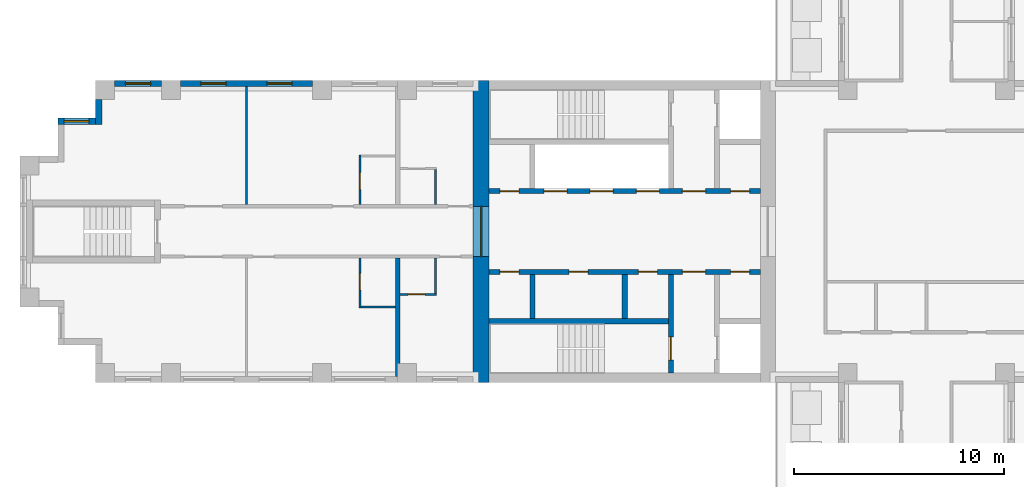
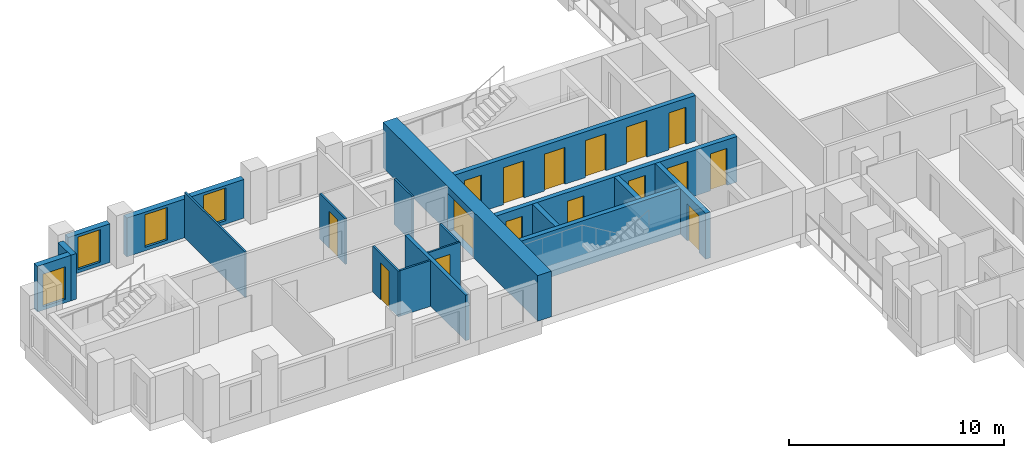
# One storey, part 3 of 11: 19 walls, 16 doors, 4 windows, 20 openings.
"""IFC4 building model written with IfcOpenShell, lengths in metres."""

from ifc_helpers import new_model, si_unit, direction, frame, frame_2d, origin, place, context, subcontext, project, spatial, rectangle, extrude, material, layer, layer_set, type_object, element, fill, save


model = new_model("IFC4")

# Units and contexts
model_context = context("Model", 3, precision=1e-05, world=origin(), true_north=direction((0.0, 1.0)))
body_context = subcontext(model_context, "Body", "Model", "MODEL_VIEW")
ifc_project = project(units=[si_unit("LENGTHUNIT", "METRE"), si_unit("AREAUNIT", "SQUARE_METRE"), si_unit("VOLUMEUNIT", "CUBIC_METRE"), si_unit("PLANEANGLEUNIT", "RADIAN"), si_unit("MASSUNIT", "GRAM", prefix="KILO")], contexts=[model_context])

# Site, building, storey
site_placement = place(None, origin())
site = spatial("IfcSite", under=ifc_project, at=site_placement, CompositionType="ELEMENT")
building_placement = place(site_placement, origin())
building = spatial("IfcBuilding", under=site, at=building_placement, Name="Fustian Cross Tower", CompositionType="ELEMENT")
storey_placement = place(building_placement, frame((0.0, 0.0, 126.300048828125)))
storey = spatial("IfcBuildingStorey", under=building, at=storey_placement, Name="L39", CompositionType="ELEMENT", Elevation=126.300048828125)

# Wall, opening, door
ifc_material_1 = material(Name="Concrete C60/75", Category="concrete")
ifc_layer_1 = layer(ifc_material_1, 0.75)
ifc_layer_set_1 = layer_set([ifc_layer_1], Name="Concrete C60/75")
wall_type_1 = type_object("IfcWallType", Name="CORE END WALL 750 C60/75", PredefinedType="SHEAR", material=ifc_layer_set_1)
wall_1_placement = place(storey_placement, frame((-21.22509765625, -7.199951171875, 0.0), z_axis=(0.0, 0.0, 1.0), x_axis=(0.0, 1.0, 0.0)))
wall_1 = element("IfcWall", 1, at=wall_1_placement, inside=storey, type_object=wall_type_1, Name="Core end wall", PredefinedType="SHEAR", context=body_context, shape_type="SweptSolid", body=[
    extrude(rectangle(XDim=14.39990234375, YDim=0.75, at=frame_2d((7.199951171875, 0.0))), origin(), (0.0, 0.0, 1.0), 2.599853515625),
])
opening_1_placement = place(wall_1_placement, frame((6.0, 0.0, 0.0)))
opening_1 = element("IfcOpeningElement", 2, at=opening_1_placement, cuts=wall_1, Name="Opening CD-16-30", PredefinedType="OPENING", context=body_context, shape_type="SweptSolid", body=[
    extrude(rectangle(XDim=2.39990234375, YDim=2.199951171875, at=frame_2d((1.199951171875, 1.10009765625))), frame((0.0, 0.385009765625, 0.0), z_axis=(0.0, -1.0, 0.0), x_axis=(1.0, 0.0, 0.0)), (0.0, 0.0, 1.0), 0.77001953125),
])
ifc_material_2 = material(Name="Steel", Category="steel")
door_type_1 = type_object("IfcDoorType", Name="FIRE DOOR FD30S DOUBLE 2400X2200", OperationType="DOUBLE_DOOR_DOUBLE_SWING", PredefinedType="DOOR", material=ifc_material_2)
door_1_placement = place(opening_1_placement, frame((2.39990234375, 0.0, 0.0), z_axis=(0.0, 0.0, 1.0), x_axis=(-1.0, 0.0, 0.0)))
door_1 = element("IfcDoor", 3, at=door_1_placement, inside=storey, type_object=door_type_1, Name="Core door CD-16-30", OperationType="DOUBLE_DOOR_DOUBLE_SWING", OverallHeight=2.199951171875, OverallWidth=2.39990234375, PredefinedType="DOOR", context=body_context, shape_type="SweptSolid", body=[
    extrude(rectangle(XDim=2.39990234375, YDim=2.199951171875, at=frame_2d((1.199951171875, 1.10009765625))), frame((0.0, 0.02490234375, 0.0), z_axis=(0.0, -1.0, 0.0), x_axis=(1.0, 0.0, 0.0)), (0.0, 0.0, 1.0), 0.050048828125),
])
fill(opening_1, door_1)

# Wall, openings, doors
ifc_material_3 = material(Name="Concrete C50/60", Category="concrete")
ifc_layer_2 = layer(ifc_material_3, 0.25)
ifc_layer_set_2 = layer_set([ifc_layer_2], Name="Concrete C50/60")
wall_type_2 = type_object("IfcWallType", Name="CORE LOBBY WALL 250 C50/60", PredefinedType="SHEAR", material=ifc_layer_set_2)
wall_2_placement = place(storey_placement, frame((-7.89990234375, 1.925048828125, 0.0), z_axis=(0.0, 0.0, 1.0), x_axis=(-1.0, 0.0, 0.0)))
wall_2 = element("IfcWall", 4, at=wall_2_placement, inside=storey, type_object=wall_type_2, Name="Core lobby wall", PredefinedType="SHEAR", context=body_context, shape_type="SweptSolid", body=[
    extrude(rectangle(XDim=12.9501953125, YDim=0.25, at=frame_2d((6.47509765625, 0.0))), origin(), (0.0, 0.0, 1.0), 2.599853515625),
])
opening_2_placement = place(wall_2_placement, frame((4.824951171875, 0.0, 0.0)))
opening_2 = element("IfcOpeningElement", 5, at=opening_2_placement, cuts=wall_2, Name="Opening LD", PredefinedType="OPENING", context=body_context, shape_type="SweptSolid", body=[
    extrude(rectangle(XDim=1.10009765625, YDim=2.10009765625, at=frame_2d((0.550048828125, 1.050048828125))), frame((0.0, 0.135009765625, 0.0), z_axis=(0.0, -1.0, 0.0), x_axis=(1.0, 0.0, 0.0)), (0.0, 0.0, 1.0), 0.27001953125),
])
opening_3_placement = place(wall_2_placement, frame((7.02490234375, 0.0, 0.0)))
opening_3 = element("IfcOpeningElement", 6, at=opening_3_placement, cuts=wall_2, Name="Opening LD", PredefinedType="OPENING", context=body_context, shape_type="SweptSolid", body=[
    extrude(rectangle(XDim=1.10009765625, YDim=2.10009765625, at=frame_2d((0.550048828125, 1.050048828125))), frame((0.0, 0.135009765625, 0.0), z_axis=(0.0, -1.0, 0.0), x_axis=(1.0, 0.0, 0.0)), (0.0, 0.0, 1.0), 0.27001953125),
])
opening_4_placement = place(wall_2_placement, frame((9.22509765625, 0.0, 0.0)))
opening_4 = element("IfcOpeningElement", 7, at=opening_4_placement, cuts=wall_2, Name="Opening LD", PredefinedType="OPENING", context=body_context, shape_type="SweptSolid", body=[
    extrude(rectangle(XDim=1.10009765625, YDim=2.10009765625, at=frame_2d((0.550048828125, 1.050048828125))), frame((0.0, 0.135009765625, 0.0), z_axis=(0.0, -1.0, 0.0), x_axis=(1.0, 0.0, 0.0)), (0.0, 0.0, 1.0), 0.27001953125),
])
opening_5_placement = place(wall_2_placement, frame((0.52490234375, 0.0, 0.0)))
opening_5 = element("IfcOpeningElement", 8, at=opening_5_placement, cuts=wall_2, Name="Opening CD-16-25", PredefinedType="OPENING", context=body_context, shape_type="SweptSolid", body=[
    extrude(rectangle(XDim=0.89990234375, YDim=2.10009765625, at=frame_2d((0.449951171875, 1.050048828125))), frame((0.0, 0.135009765625, 0.0), z_axis=(0.0, -1.0, 0.0), x_axis=(1.0, 0.0, 0.0)), (0.0, 0.0, 1.0), 0.27001953125),
])
opening_6_placement = place(wall_2_placement, frame((2.625, 0.0, 0.0)))
opening_6 = element("IfcOpeningElement", 9, at=opening_6_placement, cuts=wall_2, Name="Opening CD-16-27", PredefinedType="OPENING", context=body_context, shape_type="SweptSolid", body=[
    extrude(rectangle(XDim=1.10009765625, YDim=2.10009765625, at=frame_2d((0.550048828125, 1.050048828125))), frame((0.0, 0.135009765625, 0.0), z_axis=(0.0, -1.0, 0.0), x_axis=(1.0, 0.0, 0.0)), (0.0, 0.0, 1.0), 0.27001953125),
])
opening_7_placement = place(wall_2_placement, frame((11.52490234375, 0.0, 0.0)))
opening_7 = element("IfcOpeningElement", 10, at=opening_7_placement, cuts=wall_2, Name="Opening CD-16-31", PredefinedType="OPENING", context=body_context, shape_type="SweptSolid", body=[
    extrude(rectangle(XDim=0.89990234375, YDim=2.10009765625, at=frame_2d((0.449951171875, 1.050048828125))), frame((0.0, 0.135009765625, 0.0), z_axis=(0.0, -1.0, 0.0), x_axis=(1.0, 0.0, 0.0)), (0.0, 0.0, 1.0), 0.27001953125),
])
ifc_material_4 = material(Name="Steel", Category="steel")
door_type_2 = type_object("IfcDoorType", Name="FIRE DOOR FD30S 900X2100", OperationType="SINGLE_SWING_LEFT", PredefinedType="DOOR", material=ifc_material_4)
door_2_placement = place(opening_7_placement, frame((0.89990234375, 0.0, 0.0), z_axis=(0.0, 0.0, 1.0), x_axis=(-1.0, 0.0, 0.0)))
door_2 = element("IfcDoor", 11, at=door_2_placement, inside=storey, type_object=door_type_2, Name="Core door CD-16-31", OperationType="SINGLE_SWING_RIGHT", OverallHeight=2.10009765625, OverallWidth=0.89990234375, PredefinedType="DOOR", context=body_context, shape_type="SweptSolid", body=[
    extrude(rectangle(XDim=0.89990234375, YDim=2.10009765625, at=frame_2d((0.449951171875, 1.050048828125))), frame((0.0, 0.02490234375, 0.0), z_axis=(0.0, -1.0, 0.0), x_axis=(1.0, 0.0, 0.0)), (0.0, 0.0, 1.0), 0.050048828125),
])
fill(opening_7, door_2)
ifc_material_5 = material(Name="Steel", Category="steel")
door_type_3 = type_object("IfcDoorType", Name="FIRE DOOR FD60S 1100X2100", OperationType="SINGLE_SWING_LEFT", PredefinedType="DOOR", material=ifc_material_5)
door_3_placement = place(opening_6_placement, frame((1.10009765625, 0.0, 0.0), z_axis=(0.0, 0.0, 1.0), x_axis=(-1.0, 0.0, 0.0)))
door_3 = element("IfcDoor", 12, at=door_3_placement, inside=storey, type_object=door_type_3, Name="Core door CD-16-27", OperationType="SINGLE_SWING_RIGHT", OverallHeight=2.10009765625, OverallWidth=1.10009765625, PredefinedType="DOOR", context=body_context, shape_type="SweptSolid", body=[
    extrude(rectangle(XDim=1.10009765625, YDim=2.10009765625, at=frame_2d((0.550048828125, 1.050048828125))), frame((0.0, 0.02490234375, 0.0), z_axis=(0.0, -1.0, 0.0), x_axis=(1.0, 0.0, 0.0)), (0.0, 0.0, 1.0), 0.050048828125),
])
fill(opening_6, door_3)
ifc_material_6 = material(Name="Steel", Category="steel")
door_type_4 = type_object("IfcDoorType", Name="FIRE DOOR FD60S 900X2100", OperationType="SINGLE_SWING_LEFT", PredefinedType="DOOR", material=ifc_material_6)
door_4_placement = place(opening_5_placement, frame((0.89990234375, 0.0, 0.0), z_axis=(0.0, 0.0, 1.0), x_axis=(-1.0, 0.0, 0.0)))
door_4 = element("IfcDoor", 13, at=door_4_placement, inside=storey, type_object=door_type_4, Name="Core door CD-16-25", OperationType="SINGLE_SWING_RIGHT", OverallHeight=2.10009765625, OverallWidth=0.89990234375, PredefinedType="DOOR", context=body_context, shape_type="SweptSolid", body=[
    extrude(rectangle(XDim=0.89990234375, YDim=2.10009765625, at=frame_2d((0.449951171875, 1.050048828125))), frame((0.0, 0.02490234375, 0.0), z_axis=(0.0, -1.0, 0.0), x_axis=(1.0, 0.0, 0.0)), (0.0, 0.0, 1.0), 0.050048828125),
])
fill(opening_5, door_4)
ifc_material_7 = material(Name="Stainless steel", Category="steel")
door_type_5 = type_object("IfcDoorType", Name="LIFT LANDING DOOR 1100X2100", OperationType="SLIDING_TO_LEFT", PredefinedType="DOOR", material=ifc_material_7)
door_5_placement = place(opening_2_placement, origin())
door_5 = element("IfcDoor", 14, at=door_5_placement, inside=storey, type_object=door_type_5, Name="Landing door HR1W", OperationType="SLIDING_TO_LEFT", OverallHeight=2.10009765625, OverallWidth=1.10009765625, PredefinedType="DOOR", context=body_context, shape_type="SweptSolid", body=[
    extrude(rectangle(XDim=1.10009765625, YDim=2.10009765625, at=frame_2d((0.550048828125, 1.050048828125))), frame((0.0, 0.02490234375, 0.0), z_axis=(0.0, -1.0, 0.0), x_axis=(1.0, 0.0, 0.0)), (0.0, 0.0, 1.0), 0.050048828125),
])
fill(opening_2, door_5)
door_6_placement = place(opening_3_placement, origin())
door_6 = element("IfcDoor", 15, at=door_6_placement, inside=storey, type_object=door_type_5, Name="Landing door HR2W", OperationType="SLIDING_TO_LEFT", OverallHeight=2.10009765625, OverallWidth=1.10009765625, PredefinedType="DOOR", context=body_context, shape_type="SweptSolid", body=[
    extrude(rectangle(XDim=1.10009765625, YDim=2.10009765625, at=frame_2d((0.550048828125, 1.050048828125))), frame((0.0, 0.02490234375, 0.0), z_axis=(0.0, -1.0, 0.0), x_axis=(1.0, 0.0, 0.0)), (0.0, 0.0, 1.0), 0.050048828125),
])
fill(opening_3, door_6)
door_7_placement = place(opening_4_placement, origin())
door_7 = element("IfcDoor", 16, at=door_7_placement, inside=storey, type_object=door_type_5, Name="Landing door HR3W", OperationType="SLIDING_TO_LEFT", OverallHeight=2.10009765625, OverallWidth=1.10009765625, PredefinedType="DOOR", context=body_context, shape_type="SweptSolid", body=[
    extrude(rectangle(XDim=1.10009765625, YDim=2.10009765625, at=frame_2d((0.550048828125, 1.050048828125))), frame((0.0, 0.02490234375, 0.0), z_axis=(0.0, -1.0, 0.0), x_axis=(1.0, 0.0, 0.0)), (0.0, 0.0, 1.0), 0.050048828125),
])
fill(opening_4, door_7)

wall_3_placement = place(storey_placement, frame((-7.89990234375, -1.925048828125, 0.0), z_axis=(0.0, 0.0, 1.0), x_axis=(-1.0, 0.0, 0.0)))
wall_3 = element("IfcWall", 17, at=wall_3_placement, inside=storey, type_object=wall_type_2, Name="Core lobby wall", PredefinedType="SHEAR", context=body_context, shape_type="SweptSolid", body=[
    extrude(rectangle(XDim=12.9501953125, YDim=0.25, at=frame_2d((6.47509765625, 0.0))), origin(), (0.0, 0.0, 1.0), 2.599853515625),
])
opening_8_placement = place(wall_3_placement, frame((0.52490234375, 0.0, 0.0)))
opening_8 = element("IfcOpeningElement", 18, at=opening_8_placement, cuts=wall_3, Name="Opening CD-16-26", PredefinedType="OPENING", context=body_context, shape_type="SweptSolid", body=[
    extrude(rectangle(XDim=0.89990234375, YDim=2.10009765625, at=frame_2d((0.449951171875, 1.050048828125))), frame((0.0, 0.135009765625, 0.0), z_axis=(0.0, -1.0, 0.0), x_axis=(1.0, 0.0, 0.0)), (0.0, 0.0, 1.0), 0.27001953125),
])
opening_9_placement = place(wall_3_placement, frame((2.625, 0.0, 0.0)))
opening_9 = element("IfcOpeningElement", 19, at=opening_9_placement, cuts=wall_3, Name="Opening CD-16-28", PredefinedType="OPENING", context=body_context, shape_type="SweptSolid", body=[
    extrude(rectangle(XDim=1.10009765625, YDim=2.10009765625, at=frame_2d((0.550048828125, 1.050048828125))), frame((0.0, 0.135009765625, 0.0), z_axis=(0.0, -1.0, 0.0), x_axis=(1.0, 0.0, 0.0)), (0.0, 0.0, 1.0), 0.27001953125),
])
opening_10_placement = place(wall_3_placement, frame((4.925048828125, 0.0, 0.0)))
opening_10 = element("IfcOpeningElement", 20, at=opening_10_placement, cuts=wall_3, Name="Opening CD-16-32", PredefinedType="OPENING", context=body_context, shape_type="SweptSolid", body=[
    extrude(rectangle(XDim=0.89990234375, YDim=2.10009765625, at=frame_2d((0.449951171875, 1.050048828125))), frame((0.0, 0.135009765625, 0.0), z_axis=(0.0, -1.0, 0.0), x_axis=(1.0, 0.0, 0.0)), (0.0, 0.0, 1.0), 0.27001953125),
])
opening_11_placement = place(wall_3_placement, frame((8.22509765625, 0.0, 0.0)))
opening_11 = element("IfcOpeningElement", 21, at=opening_11_placement, cuts=wall_3, Name="Opening CD-16-33", PredefinedType="OPENING", context=body_context, shape_type="SweptSolid", body=[
    extrude(rectangle(XDim=0.89990234375, YDim=2.10009765625, at=frame_2d((0.449951171875, 1.050048828125))), frame((0.0, 0.135009765625, 0.0), z_axis=(0.0, -1.0, 0.0), x_axis=(1.0, 0.0, 0.0)), (0.0, 0.0, 1.0), 0.27001953125),
])
opening_12_placement = place(wall_3_placement, frame((11.52490234375, 0.0, 0.0)))
opening_12 = element("IfcOpeningElement", 22, at=opening_12_placement, cuts=wall_3, Name="Opening CD-16-34", PredefinedType="OPENING", context=body_context, shape_type="SweptSolid", body=[
    extrude(rectangle(XDim=0.89990234375, YDim=2.10009765625, at=frame_2d((0.449951171875, 1.050048828125))), frame((0.0, 0.135009765625, 0.0), z_axis=(0.0, -1.0, 0.0), x_axis=(1.0, 0.0, 0.0)), (0.0, 0.0, 1.0), 0.27001953125),
])
ifc_material_8 = material(Name="Steel", Category="steel")
door_type_6 = type_object("IfcDoorType", Name="FIRE DOOR FD30S 1100X2100", OperationType="SINGLE_SWING_LEFT", PredefinedType="DOOR", material=ifc_material_8)
door_8_placement = place(opening_9_placement, frame((1.10009765625, 0.0, 0.0), z_axis=(0.0, 0.0, 1.0), x_axis=(-1.0, 0.0, 0.0)))
door_8 = element("IfcDoor", 23, at=door_8_placement, inside=storey, type_object=door_type_6, Name="Core door CD-16-28", OperationType="SINGLE_SWING_RIGHT", OverallHeight=2.10009765625, OverallWidth=1.10009765625, PredefinedType="DOOR", context=body_context, shape_type="SweptSolid", body=[
    extrude(rectangle(XDim=1.10009765625, YDim=2.10009765625, at=frame_2d((0.550048828125, 1.050048828125))), frame((0.0, 0.02490234375, 0.0), z_axis=(0.0, -1.0, 0.0), x_axis=(1.0, 0.0, 0.0)), (0.0, 0.0, 1.0), 0.050048828125),
])
fill(opening_9, door_8)
door_9_placement = place(opening_8_placement, origin())
door_9 = element("IfcDoor", 24, at=door_9_placement, inside=storey, type_object=door_type_2, Name="Core door CD-16-26", OperationType="SINGLE_SWING_LEFT", OverallHeight=2.10009765625, OverallWidth=0.89990234375, PredefinedType="DOOR", context=body_context, shape_type="SweptSolid", body=[
    extrude(rectangle(XDim=0.89990234375, YDim=2.10009765625, at=frame_2d((0.449951171875, 1.050048828125))), frame((0.0, 0.02490234375, 0.0), z_axis=(0.0, -1.0, 0.0), x_axis=(1.0, 0.0, 0.0)), (0.0, 0.0, 1.0), 0.050048828125),
])
fill(opening_8, door_9)
door_10_placement = place(opening_10_placement, origin())
door_10 = element("IfcDoor", 25, at=door_10_placement, inside=storey, type_object=door_type_2, Name="Core door CD-16-32", OperationType="SINGLE_SWING_LEFT", OverallHeight=2.10009765625, OverallWidth=0.89990234375, PredefinedType="DOOR", context=body_context, shape_type="SweptSolid", body=[
    extrude(rectangle(XDim=0.89990234375, YDim=2.10009765625, at=frame_2d((0.449951171875, 1.050048828125))), frame((0.0, 0.02490234375, 0.0), z_axis=(0.0, -1.0, 0.0), x_axis=(1.0, 0.0, 0.0)), (0.0, 0.0, 1.0), 0.050048828125),
])
fill(opening_10, door_10)
door_11_placement = place(opening_11_placement, origin())
door_11 = element("IfcDoor", 26, at=door_11_placement, inside=storey, type_object=door_type_2, Name="Core door CD-16-33", OperationType="SINGLE_SWING_RIGHT", OverallHeight=2.10009765625, OverallWidth=0.89990234375, PredefinedType="DOOR", context=body_context, shape_type="SweptSolid", body=[
    extrude(rectangle(XDim=0.89990234375, YDim=2.10009765625, at=frame_2d((0.449951171875, 1.050048828125))), frame((0.0, 0.02490234375, 0.0), z_axis=(0.0, -1.0, 0.0), x_axis=(1.0, 0.0, 0.0)), (0.0, 0.0, 1.0), 0.050048828125),
])
fill(opening_11, door_11)
door_12_placement = place(opening_12_placement, origin())
door_12 = element("IfcDoor", 27, at=door_12_placement, inside=storey, type_object=door_type_2, Name="Core door CD-16-34", OperationType="SINGLE_SWING_LEFT", OverallHeight=2.10009765625, OverallWidth=0.89990234375, PredefinedType="DOOR", context=body_context, shape_type="SweptSolid", body=[
    extrude(rectangle(XDim=0.89990234375, YDim=2.10009765625, at=frame_2d((0.449951171875, 1.050048828125))), frame((0.0, 0.02490234375, 0.0), z_axis=(0.0, -1.0, 0.0), x_axis=(1.0, 0.0, 0.0)), (0.0, 0.0, 1.0), 0.050048828125),
])
fill(opening_12, door_12)

# Wall
ifc_material_9 = material(Name="Concrete C50/60", Category="concrete")
ifc_layer_3 = layer(ifc_material_9, 0.25)
ifc_layer_set_3 = layer_set([ifc_layer_3], Name="Concrete C50/60")
wall_type_3 = type_object("IfcWallType", Name="CORE SHAFT WALL 250 C50/60", PredefinedType="SHEAR", material=ifc_layer_set_3)
wall_4_placement = place(storey_placement, frame((-12.300048828125, -4.27490234375, 0.0), z_axis=(0.0, 0.0, 1.0), x_axis=(-1.0, 0.0, 0.0)))
element("IfcWall", 28, at=wall_4_placement, inside=storey, type_object=wall_type_3, Name="Core shaft wall", PredefinedType="SHEAR", context=body_context, shape_type="SweptSolid", body=[
    extrude(rectangle(XDim=8.550048828125, YDim=0.25, at=frame_2d((4.27490234375, 0.0))), origin(), (0.0, 0.0, 1.0), 2.599853515625),
])

# Wall, opening, door
wall_5_placement = place(storey_placement, frame((-12.175048828125, -2.050048828125, 0.0), z_axis=(0.0, 0.0, 1.0), x_axis=(0.0, -1.0, 0.0)))
wall_5 = element("IfcWall", 29, at=wall_5_placement, inside=storey, type_object=wall_type_3, Name="Core shaft wall", PredefinedType="SHEAR", context=body_context, shape_type="SweptSolid", body=[
    extrude(rectangle(XDim=4.699951171875, YDim=0.25, at=frame_2d((2.35009765625, 0.0))), origin(), (0.0, 0.0, 1.0), 2.599853515625),
])
opening_13_placement = place(wall_5_placement, frame((2.97509765625, 0.0, 0.0)))
opening_13 = element("IfcOpeningElement", 30, at=opening_13_placement, cuts=wall_5, Name="Opening CD-16-24", PredefinedType="OPENING", context=body_context, shape_type="SweptSolid", body=[
    extrude(rectangle(XDim=1.10009765625, YDim=2.10009765625, at=frame_2d((0.550048828125, 1.050048828125))), frame((0.0, 0.135009765625, 0.0), z_axis=(0.0, -1.0, 0.0), x_axis=(1.0, 0.0, 0.0)), (0.0, 0.0, 1.0), 0.27001953125),
])
door_13_placement = place(opening_13_placement, frame((1.10009765625, 0.0, 0.0), z_axis=(0.0, 0.0, 1.0), x_axis=(-1.0, 0.0, 0.0)))
door_13 = element("IfcDoor", 31, at=door_13_placement, inside=storey, type_object=door_type_3, Name="Core door CD-16-24", OperationType="SINGLE_SWING_RIGHT", OverallHeight=2.10009765625, OverallWidth=1.10009765625, PredefinedType="DOOR", context=body_context, shape_type="SweptSolid", body=[
    extrude(rectangle(XDim=1.10009765625, YDim=2.10009765625, at=frame_2d((0.550048828125, 1.050048828125))), frame((0.0, 0.02490234375, 0.0), z_axis=(0.0, -1.0, 0.0), x_axis=(1.0, 0.0, 0.0)), (0.0, 0.0, 1.0), 0.050048828125),
])
fill(opening_13, door_13)

# Wall
ifc_material_10 = material(Name="Plasterboard on steel stud", Category="steel")
ifc_layer_4 = layer(ifc_material_10, 0.10009765625)
ifc_layer_set_4 = layer_set([ifc_layer_4], Name="Plasterboard on steel stud")
wall_type_4 = type_object("IfcWallType", Name="PARTITION 100 STUD", PredefinedType="PARTITIONING", material=ifc_layer_set_4)
wall_6_placement = place(storey_placement, frame((-32.39990234375, 1.27490234375, 0.0), z_axis=(0.0, 0.0, 1.0), x_axis=(0.0, 1.0, 0.0)))
element("IfcWall", 32, at=wall_6_placement, inside=storey, type_object=wall_type_4, Name="Partition 4", PredefinedType="PARTITIONING", context=body_context, shape_type="SweptSolid", body=[
    extrude(rectangle(XDim=5.625, YDim=0.10009765625, at=frame_2d((2.8125, 0.0))), origin(), (0.0, 0.0, 1.0), 2.599853515625),
])

# Wall, opening, door
wall_7_placement = place(storey_placement, frame((-27.0, -3.64990234375, 0.0), z_axis=(0.0, 0.0, 1.0), x_axis=(0.0, 1.0, 0.0)))
wall_7 = element("IfcWall", 33, at=wall_7_placement, inside=storey, type_object=wall_type_4, Name="Partition 5", PredefinedType="PARTITIONING", context=body_context, shape_type="SweptSolid", body=[
    extrude(rectangle(XDim=2.375, YDim=0.10009765625, at=frame_2d((1.1875, 0.0))), origin(), (0.0, 0.0, 1.0), 2.599853515625),
])
opening_14_placement = place(wall_7_placement, frame((0.85009765625, 0.0, 0.0)))
opening_14 = element("IfcOpeningElement", 34, at=opening_14_placement, cuts=wall_7, Name="Opening D18025", PredefinedType="OPENING", context=body_context, shape_type="SweptSolid", body=[
    extrude(rectangle(XDim=0.800048828125, YDim=2.10009765625, at=frame_2d((0.39990234375, 1.050048828125))), frame((0.0, 0.06005859375, 0.0), z_axis=(0.0, -1.0, 0.0), x_axis=(1.0, 0.0, 0.0)), (0.0, 0.0, 1.0), 0.1201171875),
])
ifc_material_11 = material(Name="Painted timber", Category="wood")
door_type_7 = type_object("IfcDoorType", Name="SWING DOOR 800", OperationType="SINGLE_SWING_LEFT", PredefinedType="DOOR", material=ifc_material_11)
door_14_placement = place(opening_14_placement, frame((0.800048828125, 0.0, 0.0), z_axis=(0.0, 0.0, 1.0), x_axis=(-1.0, 0.0, 0.0)))
door_14 = element("IfcDoor", 35, at=door_14_placement, inside=storey, type_object=door_type_7, Name="Door D18025", OperationType="SINGLE_SWING_RIGHT", OverallHeight=2.10009765625, OverallWidth=0.800048828125, PredefinedType="DOOR", context=body_context, shape_type="SweptSolid", body=[
    extrude(rectangle(XDim=0.800048828125, YDim=2.10009765625, at=frame_2d((0.39990234375, 1.050048828125))), frame((0.0, 0.02490234375, 0.0), z_axis=(0.0, -1.0, 0.0), x_axis=(1.0, 0.0, 0.0)), (0.0, 0.0, 1.0), 0.050048828125),
])
fill(opening_14, door_14)

# Wall
wall_8_placement = place(storey_placement, frame((-26.949951171875, -3.60009765625, 0.0), z_axis=(0.0, 0.0, 1.0), x_axis=(1.0, 0.0, 0.0)))
element("IfcWall", 36, at=wall_8_placement, inside=storey, type_object=wall_type_4, Name="Partition 6", PredefinedType="PARTITIONING", context=body_context, shape_type="SweptSolid", body=[
    extrude(rectangle(XDim=1.64990234375, YDim=0.10009765625, at=frame_2d((0.824951171875, 0.0))), origin(), (0.0, 0.0, 1.0), 2.599853515625),
])

# Wall, opening, door
wall_9_placement = place(storey_placement, frame((-27.0, 1.27490234375, 0.0), z_axis=(0.0, 0.0, 1.0), x_axis=(0.0, 1.0, 0.0)))
wall_9 = element("IfcWall", 37, at=wall_9_placement, inside=storey, type_object=wall_type_4, Name="Partition 7", PredefinedType="PARTITIONING", context=body_context, shape_type="SweptSolid", body=[
    extrude(rectangle(XDim=2.375, YDim=0.10009765625, at=frame_2d((1.1875, 0.0))), origin(), (0.0, 0.0, 1.0), 2.599853515625),
])
opening_15_placement = place(wall_9_placement, frame((0.72509765625, 0.0, 0.0)))
opening_15 = element("IfcOpeningElement", 38, at=opening_15_placement, cuts=wall_9, Name="Opening D18030", PredefinedType="OPENING", context=body_context, shape_type="SweptSolid", body=[
    extrude(rectangle(XDim=0.800048828125, YDim=2.10009765625, at=frame_2d((0.39990234375, 1.050048828125))), frame((0.0, 0.06005859375, 0.0), z_axis=(0.0, -1.0, 0.0), x_axis=(1.0, 0.0, 0.0)), (0.0, 0.0, 1.0), 0.1201171875),
])
door_15_placement = place(opening_15_placement, frame((0.800048828125, 0.0, 0.0), z_axis=(0.0, 0.0, 1.0), x_axis=(-1.0, 0.0, 0.0)))
door_15 = element("IfcDoor", 39, at=door_15_placement, inside=storey, type_object=door_type_7, Name="Door D18030", OperationType="SINGLE_SWING_RIGHT", OverallHeight=2.10009765625, OverallWidth=0.800048828125, PredefinedType="DOOR", context=body_context, shape_type="SweptSolid", body=[
    extrude(rectangle(XDim=0.800048828125, YDim=2.10009765625, at=frame_2d((0.39990234375, 1.050048828125))), frame((0.0, 0.02490234375, 0.0), z_axis=(0.0, -1.0, 0.0), x_axis=(1.0, 0.0, 0.0)), (0.0, 0.0, 1.0), 0.050048828125),
])
fill(opening_15, door_15)

wall_10_placement = place(storey_placement, frame((-25.10009765625, -3.0, 0.0), z_axis=(0.0, 0.0, 1.0), x_axis=(1.0, 0.0, 0.0)))
wall_10 = element("IfcWall", 40, at=wall_10_placement, inside=storey, type_object=wall_type_4, Name="Partition 10", PredefinedType="PARTITIONING", context=body_context, shape_type="SweptSolid", body=[
    extrude(rectangle(XDim=1.75, YDim=0.10009765625, at=frame_2d((0.875, 0.0))), origin(), (0.0, 0.0, 1.0), 2.599853515625),
])
opening_16_placement = place(wall_10_placement, frame((0.39990234375, 0.0, 0.0)))
opening_16 = element("IfcOpeningElement", 41, at=opening_16_placement, cuts=wall_10, Name="Opening D18023", PredefinedType="OPENING", context=body_context, shape_type="SweptSolid", body=[
    extrude(rectangle(XDim=0.800048828125, YDim=2.10009765625, at=frame_2d((0.39990234375, 1.050048828125))), frame((0.0, 0.06005859375, 0.0), z_axis=(0.0, -1.0, 0.0), x_axis=(1.0, 0.0, 0.0)), (0.0, 0.0, 1.0), 0.1201171875),
])
door_16_placement = place(opening_16_placement, origin())
door_16 = element("IfcDoor", 42, at=door_16_placement, inside=storey, type_object=door_type_7, Name="Door D18023", OperationType="SINGLE_SWING_RIGHT", OverallHeight=2.10009765625, OverallWidth=0.800048828125, PredefinedType="DOOR", context=body_context, shape_type="SweptSolid", body=[
    extrude(rectangle(XDim=0.800048828125, YDim=2.10009765625, at=frame_2d((0.39990234375, 1.050048828125))), frame((0.0, 0.02490234375, 0.0), z_axis=(0.0, -1.0, 0.0), x_axis=(1.0, 0.0, 0.0)), (0.0, 0.0, 1.0), 0.050048828125),
])
fill(opening_16, door_16)

# Walls
for number, where, z_axis, x_axis, name in (
    (43, (-23.39990234375, -2.949951171875, 0.0), (0.0, 0.0, 1.0), (0.0, 1.0, 0.0), "Partition 13"),
    (44, (-23.39990234375, 1.27490234375, 0.0), (0.0, 0.0, 1.0), (0.0, 1.0, 0.0), "Partition 14"),
):
    element("IfcWall", number, at=place(storey_placement, frame(where, z_axis=z_axis, x_axis=x_axis)), inside=storey, type_object=wall_type_4, Name=name, PredefinedType="PARTITIONING", context=body_context, shape_type="SweptSolid", body=[
        extrude(rectangle(XDim=1.675048828125, YDim=0.10009765625, at=frame_2d((0.83740234375, 0.0))), origin(), (0.0, 0.0, 1.0), 2.599853515625),
    ])
ifc_material_12 = material(Name="Plasterboard on steel stud", Category="steel")
ifc_layer_5 = layer(ifc_material_12, 0.199951171875)
ifc_layer_set_5 = layer_set([ifc_layer_5], Name="Plasterboard on steel stud")
wall_type_5 = type_object("IfcWallType", Name="PARTY WALL 200 EI 60", PredefinedType="PARTITIONING", material=ifc_layer_set_5)
wall_11_placement = place(storey_placement, frame((-25.199951171875, -6.89990234375, 0.0), z_axis=(0.0, 0.0, 1.0), x_axis=(0.0, 1.0, 0.0)))
element("IfcWall", 45, at=wall_11_placement, inside=storey, type_object=wall_type_5, Name="Partition 9", PredefinedType="PARTITIONING", context=body_context, shape_type="SweptSolid", body=[
    extrude(rectangle(XDim=5.625, YDim=0.199951171875, at=frame_2d((2.8125, 0.0))), origin(), (0.0, 0.0, 1.0), 2.599853515625),
])
ifc_material_13 = material(Name="Concrete C40/50", Category="concrete")
ifc_layer_6 = layer(ifc_material_13, 0.25)
ifc_layer_set_6 = layer_set([ifc_layer_6], Name="Concrete C40/50")
wall_type_6 = type_object("IfcWallType", Name="SHAFT PARTITION WALL 250 C40/50", PredefinedType="PARTITIONING", material=ifc_layer_set_6)
for number, where, z_axis, x_axis, name in (
    (46, (-14.375, -2.050048828125, 0.0), (0.0, 0.0, 1.0), (0.0, -1.0, 0.0), "Core shaft wall"),
    (47, (-18.77490234375, -2.050048828125, 0.0), (0.0, 0.0, 1.0), (0.0, -1.0, 0.0), "Core shaft wall"),
):
    element("IfcWall", number, at=place(storey_placement, frame(where, z_axis=z_axis, x_axis=x_axis)), inside=storey, type_object=wall_type_6, Name=name, PredefinedType="PARTITIONING", context=body_context, shape_type="SweptSolid", body=[
        extrude(rectangle(XDim=2.099853515625, YDim=0.25, at=frame_2d((1.0498046875, 0.0))), origin(), (0.0, 0.0, 1.0), 2.599853515625),
    ])

# Wall, openings, windows
ifc_material_14 = material(Name="Dark aluminium cladding on insulated backing wall", Category="aluminium")
ifc_layer_7 = layer(ifc_material_14, 0.300048828125)
ifc_layer_set_7 = layer_set([ifc_layer_7], Name="Dark aluminium cladding on insulated backing wall")
wall_type_7 = type_object("IfcWallType", Name="XW1 EXTERNAL WALL 300", PredefinedType="SOLIDWALL", material=ifc_layer_set_7)
wall_12_placement = place(storey_placement, frame((-29.25, 7.050048828125, 0.0), z_axis=(0.0, 0.0, 1.0), x_axis=(-1.0, 0.0, 0.0)))
wall_12 = element("IfcWall", 48, at=wall_12_placement, inside=storey, type_object=wall_type_7, Name="External wall", PredefinedType="SOLIDWALL", context=body_context, shape_type="SweptSolid", body=[
    extrude(rectangle(XDim=6.300048828125, YDim=0.300048828125, at=frame_2d((3.14990234375, 0.0))), origin(), (0.0, 0.0, 1.0), 2.199951171875),
])
opening_17_placement = place(wall_12_placement, frame((0.97509765625, 0.0, 0.199951171875)))
opening_17 = element("IfcOpeningElement", 49, at=opening_17_placement, cuts=wall_12, Name="Opening WN3", PredefinedType="OPENING", context=body_context, shape_type="SweptSolid", body=[
    extrude(rectangle(XDim=1.199951171875, YDim=1.85009765625, at=frame_2d((0.60009765625, 0.925048828125))), frame((0.0, 0.159912109375, 0.0), z_axis=(0.0, -1.0, 0.0), x_axis=(1.0, 0.0, 0.0)), (0.0, 0.0, 1.0), 0.320068359375),
])
opening_18_placement = place(wall_12_placement, frame((4.125, 0.0, 0.199951171875)))
opening_18 = element("IfcOpeningElement", 50, at=opening_18_placement, cuts=wall_12, Name="Opening WN3", PredefinedType="OPENING", context=body_context, shape_type="SweptSolid", body=[
    extrude(rectangle(XDim=1.199951171875, YDim=1.85009765625, at=frame_2d((0.60009765625, 0.925048828125))), frame((0.0, 0.159912109375, 0.0), z_axis=(0.0, -1.0, 0.0), x_axis=(1.0, 0.0, 0.0)), (0.0, 0.0, 1.0), 0.320068359375),
])
ifc_material_15 = material(Name="Dark anodised aluminium and double glazing", Category="aluminium")
window_type = type_object("IfcWindowType", Name="WN3 WINDOW 1200X1850", PartitioningType="SINGLE_PANEL", PredefinedType="WINDOW", material=ifc_material_15)
window_1_placement = place(opening_17_placement, origin())
window_1 = element("IfcWindow", 51, at=window_1_placement, inside=storey, type_object=window_type, Name="Window", OverallHeight=1.85009765625, OverallWidth=1.199951171875, PartitioningType="SINGLE_PANEL", PredefinedType="WINDOW", context=body_context, shape_type="SweptSolid", body=[
    extrude(rectangle(XDim=1.199951171875, YDim=1.85009765625, at=frame_2d((0.60009765625, 0.925048828125))), frame((0.0, 0.030029296875, 0.0), z_axis=(0.0, -1.0, 0.0), x_axis=(1.0, 0.0, 0.0)), (0.0, 0.0, 1.0), 0.06005859375),
])
fill(opening_17, window_1)
window_2_placement = place(opening_18_placement, origin())
window_2 = element("IfcWindow", 52, at=window_2_placement, inside=storey, type_object=window_type, Name="Window", OverallHeight=1.85009765625, OverallWidth=1.199951171875, PartitioningType="SINGLE_PANEL", PredefinedType="WINDOW", context=body_context, shape_type="SweptSolid", body=[
    extrude(rectangle(XDim=1.199951171875, YDim=1.85009765625, at=frame_2d((0.60009765625, 0.925048828125))), frame((0.0, 0.030029296875, 0.0), z_axis=(0.0, -1.0, 0.0), x_axis=(1.0, 0.0, 0.0)), (0.0, 0.0, 1.0), 0.06005859375),
])
fill(opening_18, window_2)

# Wall, opening, window
wall_13_placement = place(storey_placement, frame((-36.449951171875, 7.050048828125, 0.0), z_axis=(0.0, 0.0, 1.0), x_axis=(-1.0, 0.0, 0.0)))
wall_13 = element("IfcWall", 53, at=wall_13_placement, inside=storey, type_object=wall_type_7, Name="External wall", PredefinedType="SOLIDWALL", context=body_context, shape_type="SweptSolid", body=[
    extrude(rectangle(XDim=2.25, YDim=0.300048828125, at=frame_2d((1.125, 0.0))), origin(), (0.0, 0.0, 1.0), 2.199951171875),
])
opening_19_placement = place(wall_13_placement, frame((0.52490234375, 0.0, 0.199951171875)))
opening_19 = element("IfcOpeningElement", 54, at=opening_19_placement, cuts=wall_13, Name="Opening WN3", PredefinedType="OPENING", context=body_context, shape_type="SweptSolid", body=[
    extrude(rectangle(XDim=1.199951171875, YDim=1.85009765625, at=frame_2d((0.60009765625, 0.925048828125))), frame((0.0, 0.159912109375, 0.0), z_axis=(0.0, -1.0, 0.0), x_axis=(1.0, 0.0, 0.0)), (0.0, 0.0, 1.0), 0.320068359375),
])
window_3_placement = place(opening_19_placement, origin())
window_3 = element("IfcWindow", 55, at=window_3_placement, inside=storey, type_object=window_type, Name="Window", OverallHeight=1.85009765625, OverallWidth=1.199951171875, PartitioningType="SINGLE_PANEL", PredefinedType="WINDOW", context=body_context, shape_type="SweptSolid", body=[
    extrude(rectangle(XDim=1.199951171875, YDim=1.85009765625, at=frame_2d((0.60009765625, 0.925048828125))), frame((0.0, 0.030029296875, 0.0), z_axis=(0.0, -1.0, 0.0), x_axis=(1.0, 0.0, 0.0)), (0.0, 0.0, 1.0), 0.06005859375),
])
fill(opening_19, window_3)

# Wall
wall_14_placement = place(storey_placement, frame((-39.449951171875, 6.300048828125, 0.0), z_axis=(0.0, 0.0, 1.0), x_axis=(0.0, -1.0, 0.0)))
element("IfcWall", 56, at=wall_14_placement, inside=storey, type_object=wall_type_7, Name="External wall", PredefinedType="SOLIDWALL", context=body_context, shape_type="SweptSolid", body=[
    extrude(rectangle(XDim=1.199951171875, YDim=0.300048828125, at=frame_2d((0.60009765625, 0.0))), origin(), (0.0, 0.0, 1.0), 2.599853515625),
])

# Wall, opening, window
wall_15_placement = place(storey_placement, frame((-39.60009765625, 5.25, 0.0), z_axis=(0.0, 0.0, 1.0), x_axis=(-1.0, 0.0, 0.0)))
wall_15 = element("IfcWall", 57, at=wall_15_placement, inside=storey, type_object=wall_type_7, Name="External wall", PredefinedType="SOLIDWALL", context=body_context, shape_type="SweptSolid", body=[
    extrude(rectangle(XDim=1.7998046875, YDim=0.300048828125, at=frame_2d((0.89990234375, 0.0))), origin(), (0.0, 0.0, 1.0), 2.599853515625),
])
opening_20_placement = place(wall_15_placement, frame((0.300048828125, 0.0, 0.199951171875)))
opening_20 = element("IfcOpeningElement", 58, at=opening_20_placement, cuts=wall_15, Name="Opening WN3", PredefinedType="OPENING", context=body_context, shape_type="SweptSolid", body=[
    extrude(rectangle(XDim=1.199951171875, YDim=1.85009765625, at=frame_2d((0.60009765625, 0.925048828125))), frame((0.0, 0.159912109375, 0.0), z_axis=(0.0, -1.0, 0.0), x_axis=(1.0, 0.0, 0.0)), (0.0, 0.0, 1.0), 0.320068359375),
])
window_4_placement = place(opening_20_placement, origin())
window_4 = element("IfcWindow", 59, at=window_4_placement, inside=storey, type_object=window_type, Name="Window", OverallHeight=1.85009765625, OverallWidth=1.199951171875, PartitioningType="SINGLE_PANEL", PredefinedType="WINDOW", context=body_context, shape_type="SweptSolid", body=[
    extrude(rectangle(XDim=1.199951171875, YDim=1.85009765625, at=frame_2d((0.60009765625, 0.925048828125))), frame((0.0, 0.030029296875, 0.0), z_axis=(0.0, -1.0, 0.0), x_axis=(1.0, 0.0, 0.0)), (0.0, 0.0, 1.0), 0.06005859375),
])
fill(opening_20, window_4)

save(model, "model.ifc")
